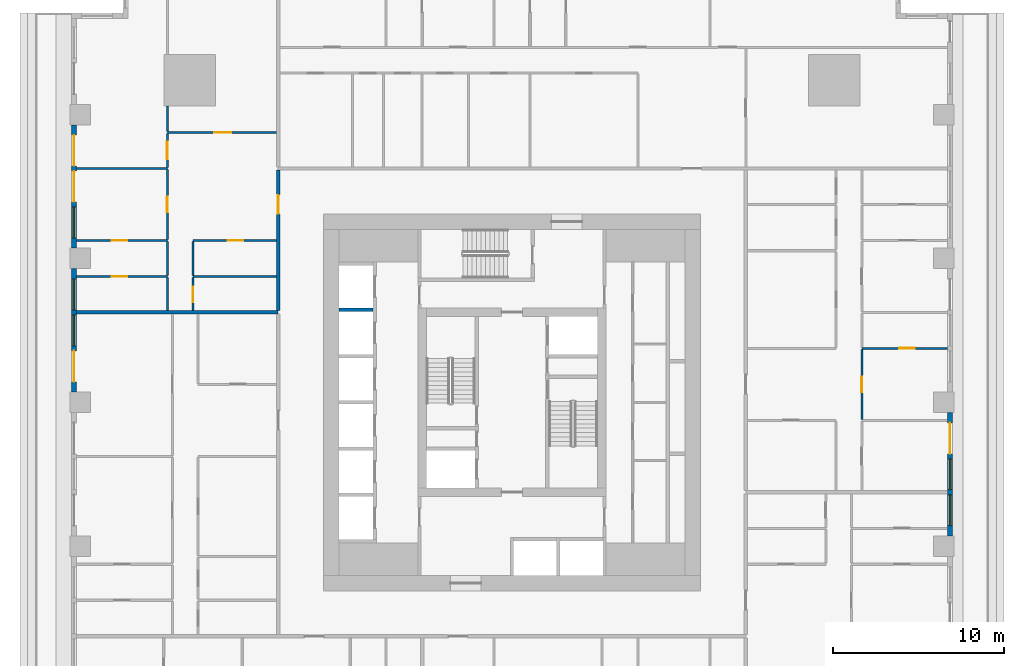
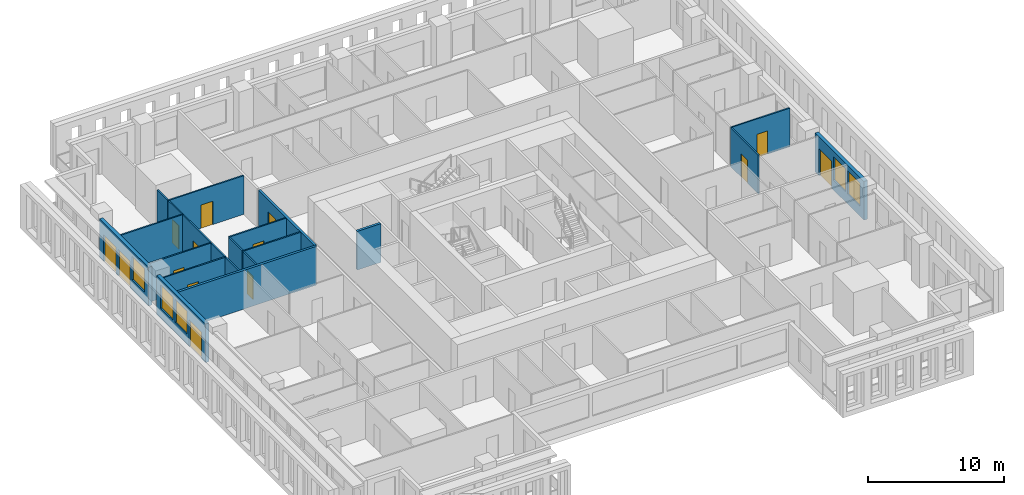
# One storey, part 6 of 14: 21 walls, 14 doors, 5 windows, 19 openings.
"""IFC4 building model written with IfcOpenShell, lengths in metres."""

from ifc_helpers import new_model, si_unit, direction, frame, frame_2d, origin, place, context, subcontext, project, spatial, rectangle, extrude, material, layer, layer_set, type_object, element, fill, save


model = new_model("IFC4")

# Units and contexts
model_context = context("Model", 3, precision=1e-05, world=origin(), true_north=direction((0.0, 1.0)))
body_context = subcontext(model_context, "Body", "Model", "MODEL_VIEW")
ifc_project = project(units=[si_unit("LENGTHUNIT", "METRE"), si_unit("AREAUNIT", "SQUARE_METRE"), si_unit("VOLUMEUNIT", "CUBIC_METRE"), si_unit("PLANEANGLEUNIT", "RADIAN"), si_unit("MASSUNIT", "GRAM", prefix="KILO")], contexts=[model_context])

# Site, building, storey
site_placement = place(None, origin())
site = spatial("IfcSite", under=ifc_project, at=site_placement, CompositionType="ELEMENT")
building_placement = place(site_placement, origin())
building = spatial("IfcBuilding", under=site, at=building_placement, Name="Khepri Terraces", CompositionType="ELEMENT")
storey_placement = place(building_placement, frame((0.0, 0.0, 62.10009765625)))
storey = spatial("IfcBuildingStorey", under=building, at=storey_placement, Name="L14", CompositionType="ELEMENT", Elevation=62.10009765625)

# Walls
ifc_material_1 = material(Name="Concrete C80/95", Category="concrete")
ifc_layer_1 = layer(ifc_material_1, 0.199951171875, Name="Concrete C80/95", Category="concrete")
ifc_layer_set_1 = layer_set([ifc_layer_1], Name="Concrete C80/95")
wall_type_1 = type_object("IfcWallType", Name="Core wall 200 C80/95", PredefinedType="SHEAR", material=ifc_layer_set_1)
wall_1_placement = place(storey_placement, frame((-10.10009765625, 5.39990234375, 0.0), z_axis=(0.0, 0.0, 1.0), x_axis=(1.0, 0.0, 0.0)))
element("IfcWall", 1, at=wall_1_placement, inside=storey, type_object=wall_type_1, Name="Core wall SH19 L14", PredefinedType="SHEAR", context=body_context, shape_type="SweptSolid", body=[
    extrude(rectangle(XDim=2.0, YDim=0.199951171875, at=frame_2d((1.0, 0.0))), origin(), (0.0, 0.0, 1.0), 3.47998046875),
])
ifc_material_2 = material(Name="Fire-rated gypsum plasterboard partition, mineral wool")
ifc_layer_2 = layer(ifc_material_2, 0.199951171875, Name="Fire-rated gypsum plasterboard partition, mineral wool")
ifc_layer_set_2 = layer_set([ifc_layer_2], Name="Fire-rated gypsum plasterboard partition, mineral wool")
wall_type_2 = type_object("IfcWallType", Name="WL-CORR-200", PredefinedType="PARTITIONING", material=ifc_layer_set_2)
wall_2_placement = place(storey_placement, frame((-25.419921875, 5.25, 0.0), z_axis=(0.0, 0.0, 1.0), x_axis=(1.0, 0.0, 0.0)))
element("IfcWall", 2, at=wall_2_placement, inside=storey, type_object=wall_type_2, Name="Partition P-057 L14", PredefinedType="PARTITIONING", context=body_context, shape_type="SweptSolid", body=[
    extrude(rectangle(XDim=11.77001953125, YDim=0.199951171875, at=frame_2d((5.885009765625, 0.0))), origin(), (0.0, 0.0, 1.0), 3.47998046875),
])

# Wall, opening, door
wall_3_placement = place(storey_placement, frame((-13.64990234375, 5.35009765625, 0.0), z_axis=(0.0, 0.0, 1.0), x_axis=(0.0, 1.0, 0.0)))
wall_3 = element("IfcWall", 3, at=wall_3_placement, inside=storey, type_object=wall_type_2, Name="Partition P-062 L14", PredefinedType="PARTITIONING", context=body_context, shape_type="SweptSolid", body=[
    extrude(rectangle(XDim=8.199951171875, YDim=0.199951171875, at=frame_2d((4.10009765625, 0.0))), origin(), (0.0, 0.0, 1.0), 3.47998046875),
])
opening_1_placement = place(wall_3_placement, frame((5.64990234375, 0.0, 0.0)))
opening_1 = element("IfcOpeningElement", 4, at=opening_1_placement, cuts=wall_3, Name="Opening D1", PredefinedType="OPENING", context=body_context, shape_type="SweptSolid", body=[
    extrude(rectangle(XDim=1.10009765625, YDim=2.39990234375, at=frame_2d((0.550048828125, 1.199951171875))), frame((0.0, 0.10986328125, 0.0), z_axis=(0.0, -1.0, 0.0), x_axis=(1.0, 0.0, 0.0)), (0.0, 0.0, 1.0), 0.219970703125),
])
ifc_material_3 = material(Name="Solid-core timber door leaf, flat entrance door", Category="wood")
door_type_1 = type_object("IfcDoorType", Name="DR-ENT-1100", OperationType="NOTDEFINED", PredefinedType="DOOR", material=ifc_material_3)
door_1_placement = place(opening_1_placement, origin())
door_1 = element("IfcDoor", 5, at=door_1_placement, inside=storey, type_object=door_type_1, Name="Flat D1 entrance door", OperationType="SINGLE_SWING_RIGHT", OverallHeight=2.39990234375, OverallWidth=1.10009765625, PredefinedType="DOOR", context=body_context, shape_type="SweptSolid", body=[
    extrude(rectangle(XDim=1.10009765625, YDim=2.39990234375, at=frame_2d((0.550048828125, 1.199951171875))), frame((0.0, 0.02490234375, 0.0), z_axis=(0.0, -1.0, 0.0), x_axis=(1.0, 0.0, 0.0)), (0.0, 0.0, 1.0), 0.050048828125),
])
fill(opening_1, door_1)

# Wall, openings, door, windows
ifc_material_4 = material(Name="Precast concrete C50/60 warm stone", Category="masonry")
ifc_layer_3 = layer(ifc_material_4, 0.300048828125, Name="Precast concrete C50/60 warm stone", Category="masonry")
ifc_layer_set_3 = layer_set([ifc_layer_3], Name="Precast concrete C50/60 warm stone")
wall_type_3 = type_object("IfcWallType", Name="WL-EXT-PRECAST-300", PredefinedType="STANDARD", material=ifc_layer_set_3)
wall_4_placement = place(storey_placement, frame((25.570068359375, -7.800048828125, 0.0), z_axis=(0.0, 0.0, 1.0), x_axis=(0.0, 1.0, 0.0)))
wall_4 = element("IfcWall", 6, at=wall_4_placement, inside=storey, type_object=wall_type_3, Name="External wall L14 E", PredefinedType="STANDARD", context=body_context, shape_type="SweptSolid", body=[
    extrude(rectangle(XDim=7.199951171875, YDim=0.300048828125, at=frame_2d((3.60009765625, 0.0))), origin(), (0.0, 0.0, 1.0), 3.47998046875),
])
opening_2_placement = place(wall_4_placement, frame((0.60009765625, 0.0, 0.89990234375)))
opening_2 = element("IfcOpeningElement", 7, at=opening_2_placement, cuts=wall_4, Name="Opening W1", PredefinedType="OPENING", context=body_context, shape_type="SweptSolid", body=[
    extrude(rectangle(XDim=1.800048828125, YDim=2.10009765625, at=frame_2d((0.89990234375, 1.050048828125))), frame((0.0, 0.16015625, 0.0), z_axis=(0.0, -1.0, 0.0), x_axis=(1.0, 0.0, 0.0)), (0.0, 0.0, 1.0), 0.320068359375),
])
opening_3_placement = place(wall_4_placement, frame((2.699951171875, 0.0, 0.89990234375)))
opening_3 = element("IfcOpeningElement", 8, at=opening_3_placement, cuts=wall_4, Name="Opening W1", PredefinedType="OPENING", context=body_context, shape_type="SweptSolid", body=[
    extrude(rectangle(XDim=1.800048828125, YDim=2.10009765625, at=frame_2d((0.89990234375, 1.050048828125))), frame((0.0, 0.16015625, 0.0), z_axis=(0.0, -1.0, 0.0), x_axis=(1.0, 0.0, 0.0)), (0.0, 0.0, 1.0), 0.320068359375),
])
opening_4_placement = place(wall_4_placement, frame((4.800048828125, 0.0, 0.0)))
opening_4 = element("IfcOpeningElement", 9, at=opening_4_placement, cuts=wall_4, Name="Opening ED-L14-04", PredefinedType="OPENING", context=body_context, shape_type="SweptSolid", body=[
    extrude(rectangle(XDim=1.800048828125, YDim=2.39990234375, at=frame_2d((0.89990234375, 1.199951171875))), frame((0.0, 0.16015625, 0.0), z_axis=(0.0, -1.0, 0.0), x_axis=(1.0, 0.0, 0.0)), (0.0, 0.0, 1.0), 0.320068359375),
])
ifc_material_5 = material(Name="Anodised aluminium bronze glazed door", Category="aluminium")
door_type_2 = type_object("IfcDoorType", Name="DR-BAL-SLIDE-1800x2400", OperationType="NOTDEFINED", PredefinedType="DOOR", material=ifc_material_5)
door_2_placement = place(opening_4_placement, origin())
door_2 = element("IfcDoor", 10, at=door_2_placement, inside=storey, type_object=door_type_2, Name="Balcony door L14 E", OperationType="SLIDING_TO_RIGHT", OverallHeight=2.39990234375, OverallWidth=1.800048828125, PredefinedType="DOOR", context=body_context, shape_type="SweptSolid", body=[
    extrude(rectangle(XDim=1.800048828125, YDim=2.39990234375, at=frame_2d((0.89990234375, 1.199951171875))), frame((0.0, 0.02490234375, 0.0), z_axis=(0.0, -1.0, 0.0), x_axis=(1.0, 0.0, 0.0)), (0.0, 0.0, 1.0), 0.050048828125),
])
fill(opening_4, door_2)
ifc_material_6 = material(Name="Clear glass", Category="glass")
window_type = type_object("IfcWindowType", Name="WIN-RES-1800x2100", PartitioningType="SINGLE_PANEL", PredefinedType="WINDOW", material=ifc_material_6)
window_1_placement = place(opening_2_placement, origin())
window_1 = element("IfcWindow", 11, at=window_1_placement, inside=storey, type_object=window_type, Name="Window L14 E", OverallHeight=2.10009765625, OverallWidth=1.800048828125, PartitioningType="SINGLE_PANEL", PredefinedType="WINDOW", context=body_context, shape_type="SweptSolid", body=[
    extrude(rectangle(XDim=1.800048828125, YDim=2.10009765625, at=frame_2d((0.89990234375, 1.050048828125))), frame((0.0, 0.030029296875, 0.0), z_axis=(0.0, -1.0, 0.0), x_axis=(1.0, 0.0, 0.0)), (0.0, 0.0, 1.0), 0.06005859375),
])
fill(opening_2, window_1)
window_2_placement = place(opening_3_placement, origin())
window_2 = element("IfcWindow", 12, at=window_2_placement, inside=storey, type_object=window_type, Name="Window L14 E", OverallHeight=2.10009765625, OverallWidth=1.800048828125, PartitioningType="SINGLE_PANEL", PredefinedType="WINDOW", context=body_context, shape_type="SweptSolid", body=[
    extrude(rectangle(XDim=1.800048828125, YDim=2.10009765625, at=frame_2d((0.89990234375, 1.050048828125))), frame((0.0, 0.030029296875, 0.0), z_axis=(0.0, -1.0, 0.0), x_axis=(1.0, 0.0, 0.0)), (0.0, 0.0, 1.0), 0.06005859375),
])
fill(opening_3, window_2)

# Wall, openings, doors, window
wall_5_placement = place(storey_placement, frame((-25.570068359375, 16.199951171875, 0.0), z_axis=(0.0, 0.0, 1.0), x_axis=(0.0, -1.0, 0.0)))
wall_5 = element("IfcWall", 13, at=wall_5_placement, inside=storey, type_object=wall_type_3, Name="External wall L14 W", PredefinedType="STANDARD", context=body_context, shape_type="SweptSolid", body=[
    extrude(rectangle(XDim=7.199951171875, YDim=0.300048828125, at=frame_2d((3.60009765625, 0.0))), origin(), (0.0, 0.0, 1.0), 3.47998046875),
])
opening_5_placement = place(wall_5_placement, frame((0.60009765625, 0.0, 0.0)))
opening_5 = element("IfcOpeningElement", 14, at=opening_5_placement, cuts=wall_5, Name="Opening ED-L14-13", PredefinedType="OPENING", context=body_context, shape_type="SweptSolid", body=[
    extrude(rectangle(XDim=1.800048828125, YDim=2.39990234375, at=frame_2d((0.89990234375, 1.199951171875))), frame((0.0, 0.16015625, 0.0), z_axis=(0.0, -1.0, 0.0), x_axis=(1.0, 0.0, 0.0)), (0.0, 0.0, 1.0), 0.320068359375),
])
opening_6_placement = place(wall_5_placement, frame((2.699951171875, 0.0, 0.0)))
opening_6 = element("IfcOpeningElement", 15, at=opening_6_placement, cuts=wall_5, Name="Opening ED-L14-14", PredefinedType="OPENING", context=body_context, shape_type="SweptSolid", body=[
    extrude(rectangle(XDim=1.800048828125, YDim=2.39990234375, at=frame_2d((0.89990234375, 1.199951171875))), frame((0.0, 0.16015625, 0.0), z_axis=(0.0, -1.0, 0.0), x_axis=(1.0, 0.0, 0.0)), (0.0, 0.0, 1.0), 0.320068359375),
])
opening_7_placement = place(wall_5_placement, frame((4.800048828125, 0.0, 0.89990234375)))
opening_7 = element("IfcOpeningElement", 16, at=opening_7_placement, cuts=wall_5, Name="Opening W1", PredefinedType="OPENING", context=body_context, shape_type="SweptSolid", body=[
    extrude(rectangle(XDim=1.800048828125, YDim=2.10009765625, at=frame_2d((0.89990234375, 1.050048828125))), frame((0.0, 0.16015625, 0.0), z_axis=(0.0, -1.0, 0.0), x_axis=(1.0, 0.0, 0.0)), (0.0, 0.0, 1.0), 0.320068359375),
])
door_3_placement = place(opening_5_placement, origin())
door_3 = element("IfcDoor", 17, at=door_3_placement, inside=storey, type_object=door_type_2, Name="Balcony door L14 W", OperationType="SLIDING_TO_LEFT", OverallHeight=2.39990234375, OverallWidth=1.800048828125, PredefinedType="DOOR", context=body_context, shape_type="SweptSolid", body=[
    extrude(rectangle(XDim=1.800048828125, YDim=2.39990234375, at=frame_2d((0.89990234375, 1.199951171875))), frame((0.0, 0.02490234375, 0.0), z_axis=(0.0, -1.0, 0.0), x_axis=(1.0, 0.0, 0.0)), (0.0, 0.0, 1.0), 0.050048828125),
])
fill(opening_5, door_3)
door_4_placement = place(opening_6_placement, origin())
door_4 = element("IfcDoor", 18, at=door_4_placement, inside=storey, type_object=door_type_2, Name="Balcony door L14 W", OperationType="SLIDING_TO_RIGHT", OverallHeight=2.39990234375, OverallWidth=1.800048828125, PredefinedType="DOOR", context=body_context, shape_type="SweptSolid", body=[
    extrude(rectangle(XDim=1.800048828125, YDim=2.39990234375, at=frame_2d((0.89990234375, 1.199951171875))), frame((0.0, 0.02490234375, 0.0), z_axis=(0.0, -1.0, 0.0), x_axis=(1.0, 0.0, 0.0)), (0.0, 0.0, 1.0), 0.050048828125),
])
fill(opening_6, door_4)
window_3_placement = place(opening_7_placement, origin())
window_3 = element("IfcWindow", 19, at=window_3_placement, inside=storey, type_object=window_type, Name="Window L14 W", OverallHeight=2.10009765625, OverallWidth=1.800048828125, PartitioningType="SINGLE_PANEL", PredefinedType="WINDOW", context=body_context, shape_type="SweptSolid", body=[
    extrude(rectangle(XDim=1.800048828125, YDim=2.10009765625, at=frame_2d((0.89990234375, 1.050048828125))), frame((0.0, 0.030029296875, 0.0), z_axis=(0.0, -1.0, 0.0), x_axis=(1.0, 0.0, 0.0)), (0.0, 0.0, 1.0), 0.06005859375),
])
fill(opening_7, window_3)

# Wall, openings, door, windows
wall_6_placement = place(storey_placement, frame((-25.570068359375, 7.800048828125, 0.0), z_axis=(0.0, 0.0, 1.0), x_axis=(0.0, -1.0, 0.0)))
wall_6 = element("IfcWall", 20, at=wall_6_placement, inside=storey, type_object=wall_type_3, Name="External wall L14 W", PredefinedType="STANDARD", context=body_context, shape_type="SweptSolid", body=[
    extrude(rectangle(XDim=7.199951171875, YDim=0.300048828125, at=frame_2d((3.60009765625, 0.0))), origin(), (0.0, 0.0, 1.0), 3.47998046875),
])
opening_8_placement = place(wall_6_placement, frame((0.60009765625, 0.0, 0.89990234375)))
opening_8 = element("IfcOpeningElement", 21, at=opening_8_placement, cuts=wall_6, Name="Opening W1", PredefinedType="OPENING", context=body_context, shape_type="SweptSolid", body=[
    extrude(rectangle(XDim=1.800048828125, YDim=2.10009765625, at=frame_2d((0.89990234375, 1.050048828125))), frame((0.0, 0.16015625, 0.0), z_axis=(0.0, -1.0, 0.0), x_axis=(1.0, 0.0, 0.0)), (0.0, 0.0, 1.0), 0.320068359375),
])
opening_9_placement = place(wall_6_placement, frame((2.699951171875, 0.0, 0.89990234375)))
opening_9 = element("IfcOpeningElement", 22, at=opening_9_placement, cuts=wall_6, Name="Opening W1", PredefinedType="OPENING", context=body_context, shape_type="SweptSolid", body=[
    extrude(rectangle(XDim=1.800048828125, YDim=2.10009765625, at=frame_2d((0.89990234375, 1.050048828125))), frame((0.0, 0.16015625, 0.0), z_axis=(0.0, -1.0, 0.0), x_axis=(1.0, 0.0, 0.0)), (0.0, 0.0, 1.0), 0.320068359375),
])
opening_10_placement = place(wall_6_placement, frame((4.800048828125, 0.0, 0.0)))
opening_10 = element("IfcOpeningElement", 23, at=opening_10_placement, cuts=wall_6, Name="Opening ED-L14-15", PredefinedType="OPENING", context=body_context, shape_type="SweptSolid", body=[
    extrude(rectangle(XDim=1.800048828125, YDim=2.39990234375, at=frame_2d((0.89990234375, 1.199951171875))), frame((0.0, 0.16015625, 0.0), z_axis=(0.0, -1.0, 0.0), x_axis=(1.0, 0.0, 0.0)), (0.0, 0.0, 1.0), 0.320068359375),
])
door_5_placement = place(opening_10_placement, origin())
door_5 = element("IfcDoor", 24, at=door_5_placement, inside=storey, type_object=door_type_2, Name="Balcony door L14 W", OperationType="SLIDING_TO_RIGHT", OverallHeight=2.39990234375, OverallWidth=1.800048828125, PredefinedType="DOOR", context=body_context, shape_type="SweptSolid", body=[
    extrude(rectangle(XDim=1.800048828125, YDim=2.39990234375, at=frame_2d((0.89990234375, 1.199951171875))), frame((0.0, 0.02490234375, 0.0), z_axis=(0.0, -1.0, 0.0), x_axis=(1.0, 0.0, 0.0)), (0.0, 0.0, 1.0), 0.050048828125),
])
fill(opening_10, door_5)
window_4_placement = place(opening_8_placement, origin())
window_4 = element("IfcWindow", 25, at=window_4_placement, inside=storey, type_object=window_type, Name="Window L14 W", OverallHeight=2.10009765625, OverallWidth=1.800048828125, PartitioningType="SINGLE_PANEL", PredefinedType="WINDOW", context=body_context, shape_type="SweptSolid", body=[
    extrude(rectangle(XDim=1.800048828125, YDim=2.10009765625, at=frame_2d((0.89990234375, 1.050048828125))), frame((0.0, 0.030029296875, 0.0), z_axis=(0.0, -1.0, 0.0), x_axis=(1.0, 0.0, 0.0)), (0.0, 0.0, 1.0), 0.06005859375),
])
fill(opening_8, window_4)
window_5_placement = place(opening_9_placement, origin())
window_5 = element("IfcWindow", 26, at=window_5_placement, inside=storey, type_object=window_type, Name="Window L14 W", OverallHeight=2.10009765625, OverallWidth=1.800048828125, PartitioningType="SINGLE_PANEL", PredefinedType="WINDOW", context=body_context, shape_type="SweptSolid", body=[
    extrude(rectangle(XDim=1.800048828125, YDim=2.10009765625, at=frame_2d((0.89990234375, 1.050048828125))), frame((0.0, 0.030029296875, 0.0), z_axis=(0.0, -1.0, 0.0), x_axis=(1.0, 0.0, 0.0)), (0.0, 0.0, 1.0), 0.06005859375),
])
fill(opening_9, window_5)

# Wall, opening, door
ifc_material_7 = material(Name="Gypsum plasterboard partition")
ifc_layer_4 = layer(ifc_material_7, 0.1201171875, Name="Gypsum plasterboard partition")
ifc_layer_set_4 = layer_set([ifc_layer_4], Name="Gypsum plasterboard partition")
wall_type_4 = type_object("IfcWallType", Name="WL-PART-120", PredefinedType="PARTITIONING", material=ifc_layer_set_4)
wall_7_placement = place(storey_placement, frame((20.419921875, -0.989990234375, 0.0), z_axis=(0.0, 0.0, 1.0), x_axis=(0.0, 1.0, 0.0)))
wall_7 = element("IfcWall", 27, at=wall_7_placement, inside=storey, type_object=wall_type_4, Name="Partition P-050 L14", PredefinedType="PARTITIONING", context=body_context, shape_type="SweptSolid", body=[
    extrude(rectangle(XDim=4.080078125, YDim=0.1201171875, at=frame_2d((2.0400390625, 0.0))), origin(), (0.0, 0.0, 1.0), 3.47998046875),
])
opening_11_placement = place(wall_7_placement, frame((1.590087890625, 0.0, 0.0)))
opening_11 = element("IfcOpeningElement", 28, at=opening_11_placement, cuts=wall_7, Name="Opening D3", PredefinedType="OPENING", context=body_context, shape_type="SweptSolid", body=[
    extrude(rectangle(XDim=0.89990234375, YDim=2.10009765625, at=frame_2d((0.449951171875, 1.050048828125))), frame((0.0, 0.070068359375, 0.0), z_axis=(0.0, -1.0, 0.0), x_axis=(1.0, 0.0, 0.0)), (0.0, 0.0, 1.0), 0.14013671875),
])
ifc_material_8 = material(Name="Timber door leaf", Category="wood")
door_type_3 = type_object("IfcDoorType", Name="DR-INT-900", OperationType="NOTDEFINED", PredefinedType="DOOR", material=ifc_material_8)
door_6_placement = place(opening_11_placement, frame((0.89990234375, 0.0, 0.0), z_axis=(0.0, 0.0, 1.0), x_axis=(-1.0, 0.0, 0.0)))
door_6 = element("IfcDoor", 29, at=door_6_placement, inside=storey, type_object=door_type_3, Name="Door Bedroom", OperationType="SINGLE_SWING_LEFT", OverallHeight=2.10009765625, OverallWidth=0.89990234375, PredefinedType="DOOR", context=body_context, shape_type="SweptSolid", body=[
    extrude(rectangle(XDim=0.89990234375, YDim=2.10009765625, at=frame_2d((0.449951171875, 1.050048828125))), frame((0.0, 0.02490234375, 0.0), z_axis=(0.0, -1.0, 0.0), x_axis=(1.0, 0.0, 0.0)), (0.0, 0.0, 1.0), 0.050048828125),
])
fill(opening_11, door_6)

wall_8_placement = place(storey_placement, frame((20.419921875, 3.14990234375, 0.0), z_axis=(0.0, 0.0, 1.0), x_axis=(1.0, 0.0, 0.0)))
wall_8 = element("IfcWall", 30, at=wall_8_placement, inside=storey, type_object=wall_type_4, Name="Partition P-054 L14", PredefinedType="PARTITIONING", context=body_context, shape_type="SweptSolid", body=[
    extrude(rectangle(XDim=5.0, YDim=0.1201171875, at=frame_2d((2.5, 0.0))), origin(), (0.0, 0.0, 1.0), 3.47998046875),
])
opening_12_placement = place(wall_8_placement, frame((2.199951171875, 0.0, 0.0)))
opening_12 = element("IfcOpeningElement", 31, at=opening_12_placement, cuts=wall_8, Name="Opening D4", PredefinedType="OPENING", context=body_context, shape_type="SweptSolid", body=[
    extrude(rectangle(XDim=0.89990234375, YDim=2.10009765625, at=frame_2d((0.449951171875, 1.050048828125))), frame((0.0, 0.070068359375, 0.0), z_axis=(0.0, -1.0, 0.0), x_axis=(1.0, 0.0, 0.0)), (0.0, 0.0, 1.0), 0.14013671875),
])
ifc_material_9 = material(Name="Timber door leaf, moisture resistant", Category="wood")
door_type_4 = type_object("IfcDoorType", Name="DR-WET-900", OperationType="NOTDEFINED", PredefinedType="DOOR", material=ifc_material_9)
door_7_placement = place(opening_12_placement, origin())
door_7 = element("IfcDoor", 32, at=door_7_placement, inside=storey, type_object=door_type_4, Name="Door Bathroom", OperationType="SINGLE_SWING_RIGHT", OverallHeight=2.10009765625, OverallWidth=0.89990234375, PredefinedType="DOOR", context=body_context, shape_type="SweptSolid", body=[
    extrude(rectangle(XDim=0.89990234375, YDim=2.10009765625, at=frame_2d((0.449951171875, 1.050048828125))), frame((0.0, 0.02490234375, 0.0), z_axis=(0.0, -1.0, 0.0), x_axis=(1.0, 0.0, 0.0)), (0.0, 0.0, 1.0), 0.050048828125),
])
fill(opening_12, door_7)

# Wall
wall_9_placement = place(storey_placement, frame((-20.1201171875, 5.35009765625, 0.0), z_axis=(0.0, 0.0, 1.0), x_axis=(0.0, 1.0, 0.0)))
element("IfcWall", 33, at=wall_9_placement, inside=storey, type_object=wall_type_4, Name="Partition P-060 L14", PredefinedType="PARTITIONING", context=body_context, shape_type="SweptSolid", body=[
    extrude(rectangle(XDim=1.93994140625, YDim=0.1201171875, at=frame_2d((0.969970703125, 0.0))), origin(), (0.0, 0.0, 1.0), 3.47998046875),
])

# Wall, opening, door
wall_10_placement = place(storey_placement, frame((-18.6201171875, 5.35009765625, 0.0), z_axis=(0.0, 0.0, 1.0), x_axis=(0.0, 1.0, 0.0)))
wall_10 = element("IfcWall", 34, at=wall_10_placement, inside=storey, type_object=wall_type_4, Name="Partition P-061 L14", PredefinedType="PARTITIONING", context=body_context, shape_type="SweptSolid", body=[
    extrude(rectangle(XDim=1.93994140625, YDim=0.1201171875, at=frame_2d((0.969970703125, 0.0))), origin(), (0.0, 0.0, 1.0), 3.47998046875),
])
opening_13_placement = place(wall_10_placement, frame((0.5, 0.0, 0.0)))
opening_13 = element("IfcOpeningElement", 35, at=opening_13_placement, cuts=wall_10, Name="Opening D3", PredefinedType="OPENING", context=body_context, shape_type="SweptSolid", body=[
    extrude(rectangle(XDim=0.89990234375, YDim=2.10009765625, at=frame_2d((0.449951171875, 1.050048828125))), frame((0.0, 0.070068359375, 0.0), z_axis=(0.0, -1.0, 0.0), x_axis=(1.0, 0.0, 0.0)), (0.0, 0.0, 1.0), 0.14013671875),
])
door_8_placement = place(opening_13_placement, frame((0.89990234375, 0.0, 0.0), z_axis=(0.0, 0.0, 1.0), x_axis=(-1.0, 0.0, 0.0)))
door_8 = element("IfcDoor", 36, at=door_8_placement, inside=storey, type_object=door_type_3, Name="Door Kitchen", OperationType="SINGLE_SWING_RIGHT", OverallHeight=2.10009765625, OverallWidth=0.89990234375, PredefinedType="DOOR", context=body_context, shape_type="SweptSolid", body=[
    extrude(rectangle(XDim=0.89990234375, YDim=2.10009765625, at=frame_2d((0.449951171875, 1.050048828125))), frame((0.0, 0.02490234375, 0.0), z_axis=(0.0, -1.0, 0.0), x_axis=(1.0, 0.0, 0.0)), (0.0, 0.0, 1.0), 0.050048828125),
])
fill(opening_13, door_8)

wall_11_placement = place(storey_placement, frame((-25.419921875, 7.35009765625, 0.0), z_axis=(0.0, 0.0, 1.0), x_axis=(1.0, 0.0, 0.0)))
wall_11 = element("IfcWall", 37, at=wall_11_placement, inside=storey, type_object=wall_type_4, Name="Partition P-063 L14", PredefinedType="PARTITIONING", context=body_context, shape_type="SweptSolid", body=[
    extrude(rectangle(XDim=5.2998046875, YDim=0.1201171875, at=frame_2d((2.64990234375, 0.0))), origin(), (0.0, 0.0, 1.0), 3.47998046875),
])
opening_14_placement = place(wall_11_placement, frame((2.050048828125, 0.0, 0.0)))
opening_14 = element("IfcOpeningElement", 38, at=opening_14_placement, cuts=wall_11, Name="Opening D4", PredefinedType="OPENING", context=body_context, shape_type="SweptSolid", body=[
    extrude(rectangle(XDim=0.89990234375, YDim=2.10009765625, at=frame_2d((0.449951171875, 1.050048828125))), frame((0.0, 0.070068359375, 0.0), z_axis=(0.0, -1.0, 0.0), x_axis=(1.0, 0.0, 0.0)), (0.0, 0.0, 1.0), 0.14013671875),
])
door_9_placement = place(opening_14_placement, frame((0.89990234375, 0.0, 0.0), z_axis=(0.0, 0.0, 1.0), x_axis=(-1.0, 0.0, 0.0)))
door_9 = element("IfcDoor", 39, at=door_9_placement, inside=storey, type_object=door_type_4, Name="Door Bathroom", OperationType="SINGLE_SWING_RIGHT", OverallHeight=2.10009765625, OverallWidth=0.89990234375, PredefinedType="DOOR", context=body_context, shape_type="SweptSolid", body=[
    extrude(rectangle(XDim=0.89990234375, YDim=2.10009765625, at=frame_2d((0.449951171875, 1.050048828125))), frame((0.0, 0.02490234375, 0.0), z_axis=(0.0, -1.0, 0.0), x_axis=(1.0, 0.0, 0.0)), (0.0, 0.0, 1.0), 0.050048828125),
])
fill(opening_14, door_9)

# Walls
wall_12_placement = place(storey_placement, frame((-18.6201171875, 7.35009765625, 0.0), z_axis=(0.0, 0.0, 1.0), x_axis=(1.0, 0.0, 0.0)))
element("IfcWall", 40, at=wall_12_placement, inside=storey, type_object=wall_type_4, Name="Partition P-064 L14", PredefinedType="PARTITIONING", context=body_context, shape_type="SweptSolid", body=[
    extrude(rectangle(XDim=4.8701171875, YDim=0.1201171875, at=frame_2d((2.43505859375, 0.0))), origin(), (0.0, 0.0, 1.0), 3.47998046875),
])
for number, where, z_axis, x_axis, name in (
    (41, (-20.1201171875, 7.409912109375, 0.0), (0.0, 0.0, 1.0), (0.0, 1.0, 0.0), "Partition P-065 L14"),
    (42, (-18.6201171875, 7.409912109375, 0.0), (0.0, 0.0, 1.0), (0.0, 1.0, 0.0), "Partition P-066 L14"),
):
    element("IfcWall", number, at=place(storey_placement, frame(where, z_axis=z_axis, x_axis=x_axis)), inside=storey, type_object=wall_type_4, Name=name, PredefinedType="PARTITIONING", context=body_context, shape_type="SweptSolid", body=[
        extrude(rectangle(XDim=1.97998046875, YDim=0.1201171875, at=frame_2d((0.989990234375, 0.0))), origin(), (0.0, 0.0, 1.0), 3.47998046875),
    ])

# Wall, opening, door
wall_13_placement = place(storey_placement, frame((-25.419921875, 9.449951171875, 0.0), z_axis=(0.0, 0.0, 1.0), x_axis=(1.0, 0.0, 0.0)))
wall_13 = element("IfcWall", 43, at=wall_13_placement, inside=storey, type_object=wall_type_4, Name="Partition P-069 L14", PredefinedType="PARTITIONING", context=body_context, shape_type="SweptSolid", body=[
    extrude(rectangle(XDim=5.2998046875, YDim=0.1201171875, at=frame_2d((2.64990234375, 0.0))), origin(), (0.0, 0.0, 1.0), 3.47998046875),
])
opening_15_placement = place(wall_13_placement, frame((2.050048828125, 0.0, 0.0)))
opening_15 = element("IfcOpeningElement", 44, at=opening_15_placement, cuts=wall_13, Name="Opening D3", PredefinedType="OPENING", context=body_context, shape_type="SweptSolid", body=[
    extrude(rectangle(XDim=0.89990234375, YDim=2.10009765625, at=frame_2d((0.449951171875, 1.050048828125))), frame((0.0, 0.070068359375, 0.0), z_axis=(0.0, -1.0, 0.0), x_axis=(1.0, 0.0, 0.0)), (0.0, 0.0, 1.0), 0.14013671875),
])
door_10_placement = place(opening_15_placement, frame((0.89990234375, 0.0, 0.0), z_axis=(0.0, 0.0, 1.0), x_axis=(-1.0, 0.0, 0.0)))
door_10 = element("IfcDoor", 45, at=door_10_placement, inside=storey, type_object=door_type_3, Name="Door Dressing Room", OperationType="SINGLE_SWING_RIGHT", OverallHeight=2.10009765625, OverallWidth=0.89990234375, PredefinedType="DOOR", context=body_context, shape_type="SweptSolid", body=[
    extrude(rectangle(XDim=0.89990234375, YDim=2.10009765625, at=frame_2d((0.449951171875, 1.050048828125))), frame((0.0, 0.02490234375, 0.0), z_axis=(0.0, -1.0, 0.0), x_axis=(1.0, 0.0, 0.0)), (0.0, 0.0, 1.0), 0.050048828125),
])
fill(opening_15, door_10)

wall_14_placement = place(storey_placement, frame((-18.6201171875, 9.449951171875, 0.0), z_axis=(0.0, 0.0, 1.0), x_axis=(1.0, 0.0, 0.0)))
wall_14 = element("IfcWall", 46, at=wall_14_placement, inside=storey, type_object=wall_type_4, Name="Partition P-070 L14", PredefinedType="PARTITIONING", context=body_context, shape_type="SweptSolid", body=[
    extrude(rectangle(XDim=4.8701171875, YDim=0.1201171875, at=frame_2d((2.43505859375, 0.0))), origin(), (0.0, 0.0, 1.0), 3.47998046875),
])
opening_16_placement = place(wall_14_placement, frame((2.034912109375, 0.0, 0.0)))
opening_16 = element("IfcOpeningElement", 47, at=opening_16_placement, cuts=wall_14, Name="Opening D4", PredefinedType="OPENING", context=body_context, shape_type="SweptSolid", body=[
    extrude(rectangle(XDim=0.89990234375, YDim=2.10009765625, at=frame_2d((0.449951171875, 1.050048828125))), frame((0.0, 0.070068359375, 0.0), z_axis=(0.0, -1.0, 0.0), x_axis=(1.0, 0.0, 0.0)), (0.0, 0.0, 1.0), 0.14013671875),
])
door_11_placement = place(opening_16_placement, frame((0.89990234375, 0.0, 0.0), z_axis=(0.0, 0.0, 1.0), x_axis=(-1.0, 0.0, 0.0)))
door_11 = element("IfcDoor", 48, at=door_11_placement, inside=storey, type_object=door_type_4, Name="Door Guest Bathroom", OperationType="SINGLE_SWING_LEFT", OverallHeight=2.10009765625, OverallWidth=0.89990234375, PredefinedType="DOOR", context=body_context, shape_type="SweptSolid", body=[
    extrude(rectangle(XDim=0.89990234375, YDim=2.10009765625, at=frame_2d((0.449951171875, 1.050048828125))), frame((0.0, 0.02490234375, 0.0), z_axis=(0.0, -1.0, 0.0), x_axis=(1.0, 0.0, 0.0)), (0.0, 0.0, 1.0), 0.050048828125),
])
fill(opening_16, door_11)

wall_15_placement = place(storey_placement, frame((-20.1201171875, 9.510009765625, 0.0), z_axis=(0.0, 0.0, 1.0), x_axis=(0.0, 1.0, 0.0)))
wall_15 = element("IfcWall", 49, at=wall_15_placement, inside=storey, type_object=wall_type_4, Name="Partition P-072 L14", PredefinedType="PARTITIONING", context=body_context, shape_type="SweptSolid", body=[
    extrude(rectangle(XDim=4.080078125, YDim=0.1201171875, at=frame_2d((2.0400390625, 0.0))), origin(), (0.0, 0.0, 1.0), 3.47998046875),
])
opening_17_placement = place(wall_15_placement, frame((1.590087890625, 0.0, 0.0)))
opening_17 = element("IfcOpeningElement", 50, at=opening_17_placement, cuts=wall_15, Name="Opening D3", PredefinedType="OPENING", context=body_context, shape_type="SweptSolid", body=[
    extrude(rectangle(XDim=0.89990234375, YDim=2.10009765625, at=frame_2d((0.449951171875, 1.050048828125))), frame((0.0, 0.070068359375, 0.0), z_axis=(0.0, -1.0, 0.0), x_axis=(1.0, 0.0, 0.0)), (0.0, 0.0, 1.0), 0.14013671875),
])
door_12_placement = place(opening_17_placement, origin())
door_12 = element("IfcDoor", 51, at=door_12_placement, inside=storey, type_object=door_type_3, Name="Door Master Bedroom", OperationType="SINGLE_SWING_RIGHT", OverallHeight=2.10009765625, OverallWidth=0.89990234375, PredefinedType="DOOR", context=body_context, shape_type="SweptSolid", body=[
    extrude(rectangle(XDim=0.89990234375, YDim=2.10009765625, at=frame_2d((0.449951171875, 1.050048828125))), frame((0.0, 0.02490234375, 0.0), z_axis=(0.0, -1.0, 0.0), x_axis=(1.0, 0.0, 0.0)), (0.0, 0.0, 1.0), 0.050048828125),
])
fill(opening_17, door_12)

# Wall
wall_16_placement = place(storey_placement, frame((-25.419921875, 13.64990234375, 0.0), z_axis=(0.0, 0.0, 1.0), x_axis=(1.0, 0.0, 0.0)))
element("IfcWall", 52, at=wall_16_placement, inside=storey, type_object=wall_type_4, Name="Partition P-078 L14", PredefinedType="PARTITIONING", context=body_context, shape_type="SweptSolid", body=[
    extrude(rectangle(XDim=5.2998046875, YDim=0.1201171875, at=frame_2d((2.64990234375, 0.0))), origin(), (0.0, 0.0, 1.0), 3.47998046875),
])

# Wall, opening, door
wall_17_placement = place(storey_placement, frame((-20.1201171875, 13.7099609375, 0.0), z_axis=(0.0, 0.0, 1.0), x_axis=(0.0, 1.0, 0.0)))
wall_17 = element("IfcWall", 53, at=wall_17_placement, inside=storey, type_object=wall_type_4, Name="Partition P-080 L14", PredefinedType="PARTITIONING", context=body_context, shape_type="SweptSolid", body=[
    extrude(rectangle(XDim=1.97998046875, YDim=0.1201171875, at=frame_2d((0.989990234375, 0.0))), origin(), (0.0, 0.0, 1.0), 3.47998046875),
])
opening_18_placement = place(wall_17_placement, frame((0.489990234375, 0.0, 0.0)))
opening_18 = element("IfcOpeningElement", 54, at=opening_18_placement, cuts=wall_17, Name="Opening D2", PredefinedType="OPENING", context=body_context, shape_type="SweptSolid", body=[
    extrude(rectangle(XDim=1.0, YDim=2.10009765625, at=frame_2d((0.5, 1.050048828125))), frame((0.0, 0.070068359375, 0.0), z_axis=(0.0, -1.0, 0.0), x_axis=(1.0, 0.0, 0.0)), (0.0, 0.0, 1.0), 0.14013671875),
])
ifc_material_10 = material(Name="Timber door leaf, living room door", Category="wood")
door_type_5 = type_object("IfcDoorType", Name="DR-INT-1000", OperationType="NOTDEFINED", PredefinedType="DOOR", material=ifc_material_10)
door_13_placement = place(opening_18_placement, origin())
door_13 = element("IfcDoor", 55, at=door_13_placement, inside=storey, type_object=door_type_5, Name="Door Living Room", OperationType="SINGLE_SWING_LEFT", OverallHeight=2.10009765625, OverallWidth=1.0, PredefinedType="DOOR", context=body_context, shape_type="SweptSolid", body=[
    extrude(rectangle(XDim=1.0, YDim=2.10009765625, at=frame_2d((0.5, 1.050048828125))), frame((0.0, 0.02490234375, 0.0), z_axis=(0.0, -1.0, 0.0), x_axis=(1.0, 0.0, 0.0)), (0.0, 0.0, 1.0), 0.050048828125),
])
fill(opening_18, door_13)

wall_18_placement = place(storey_placement, frame((-20.1201171875, 15.75, 0.0), z_axis=(0.0, 0.0, 1.0), x_axis=(1.0, 0.0, 0.0)))
wall_18 = element("IfcWall", 56, at=wall_18_placement, inside=storey, type_object=wall_type_4, Name="Partition P-089 L14", PredefinedType="PARTITIONING", context=body_context, shape_type="SweptSolid", body=[
    extrude(rectangle(XDim=6.3701171875, YDim=0.1201171875, at=frame_2d((3.18505859375, 0.0))), origin(), (0.0, 0.0, 1.0), 3.47998046875),
])
opening_19_placement = place(wall_18_placement, frame((2.735107421875, 0.0, 0.0)))
opening_19 = element("IfcOpeningElement", 57, at=opening_19_placement, cuts=wall_18, Name="Opening D2", PredefinedType="OPENING", context=body_context, shape_type="SweptSolid", body=[
    extrude(rectangle(XDim=1.0, YDim=2.10009765625, at=frame_2d((0.5, 1.050048828125))), frame((0.0, 0.070068359375, 0.0), z_axis=(0.0, -1.0, 0.0), x_axis=(1.0, 0.0, 0.0)), (0.0, 0.0, 1.0), 0.14013671875),
])
door_14_placement = place(opening_19_placement, origin())
door_14 = element("IfcDoor", 58, at=door_14_placement, inside=storey, type_object=door_type_5, Name="Door Family Room", OperationType="SINGLE_SWING_RIGHT", OverallHeight=2.10009765625, OverallWidth=1.0, PredefinedType="DOOR", context=body_context, shape_type="SweptSolid", body=[
    extrude(rectangle(XDim=1.0, YDim=2.10009765625, at=frame_2d((0.5, 1.050048828125))), frame((0.0, 0.02490234375, 0.0), z_axis=(0.0, -1.0, 0.0), x_axis=(1.0, 0.0, 0.0)), (0.0, 0.0, 1.0), 0.050048828125),
])
fill(opening_19, door_14)

# Wall
wall_19_placement = place(storey_placement, frame((-20.1201171875, 15.81005859375, 0.0), z_axis=(0.0, 0.0, 1.0), x_axis=(0.0, 1.0, 0.0)))
element("IfcWall", 59, at=wall_19_placement, inside=storey, type_object=wall_type_4, Name="Partition P-090 L14", PredefinedType="PARTITIONING", context=body_context, shape_type="SweptSolid", body=[
    extrude(rectangle(XDim=1.489990234375, YDim=0.1201171875, at=frame_2d((0.7451171875, 0.0))), origin(), (0.0, 0.0, 1.0), 3.47998046875),
])

save(model, "model.ifc")
